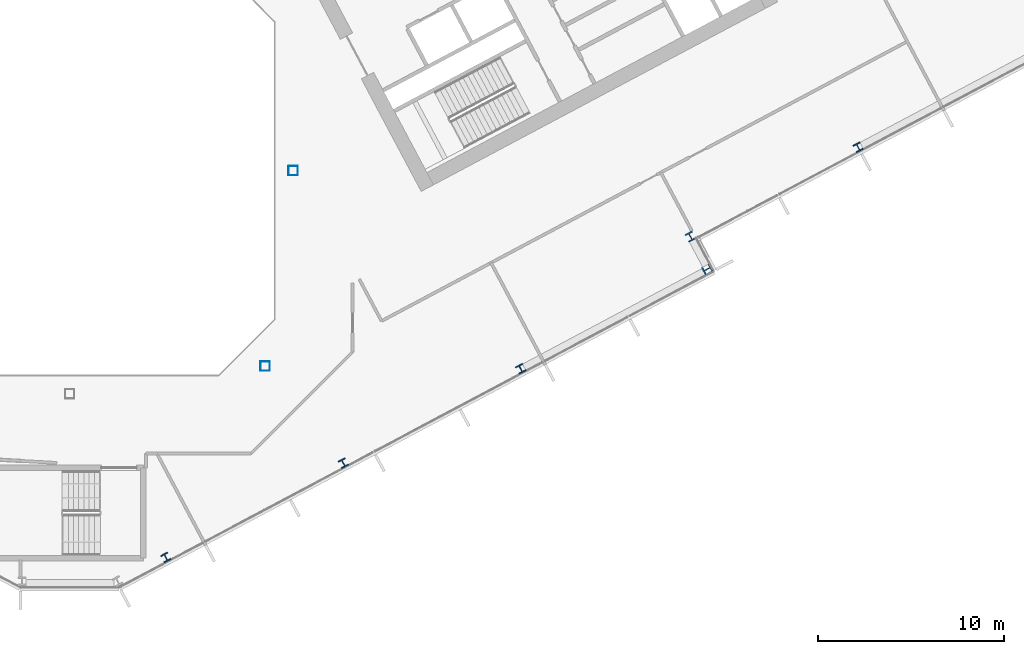
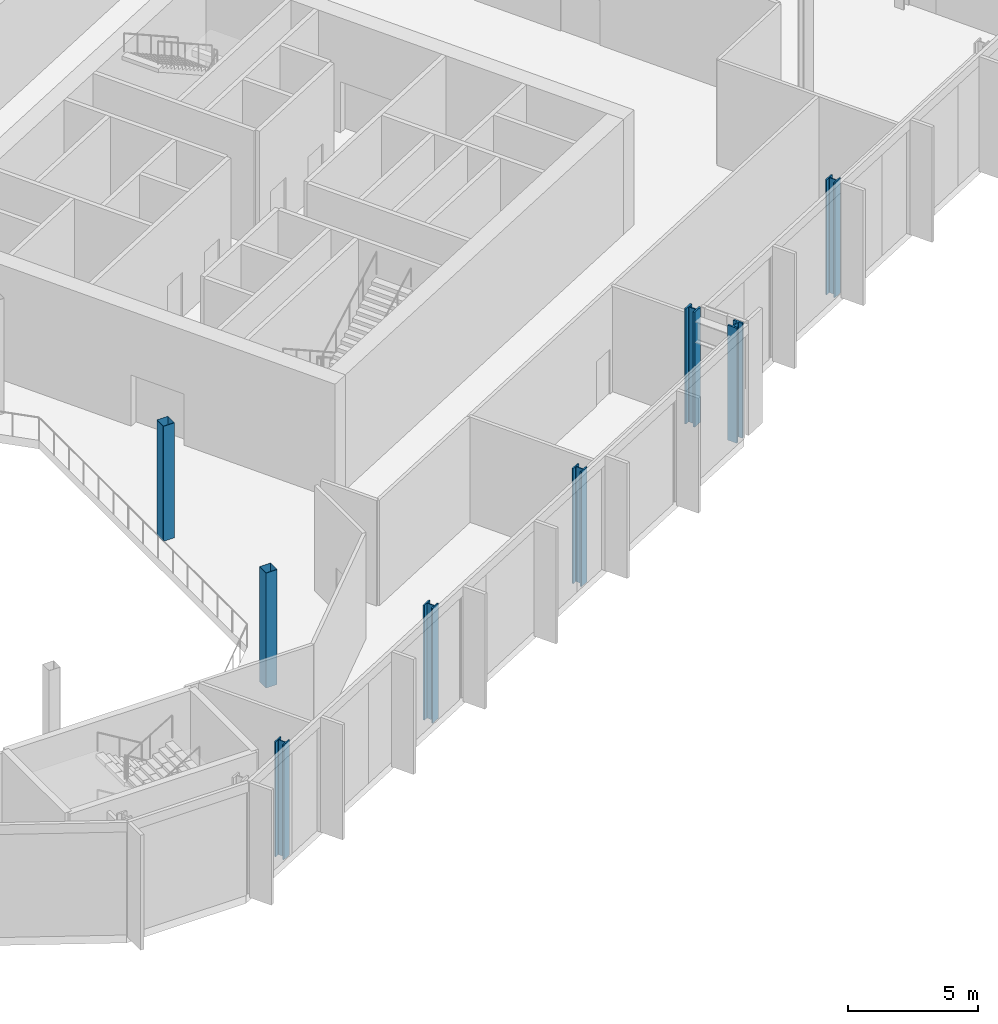
# One storey, part 5 of 31: 8 columns.
"""IFC4 building model written with IfcOpenShell, lengths in metres."""

from ifc_helpers import new_model, si_unit, direction, frame, origin, origin_2d, place, context, subcontext, project, spatial, hollow_rectangle, i_section, extrude, material, material_profile, profile_set, type_object, element, save


model = new_model("IFC4")

# Units and contexts
model_context = context("Model", 3, precision=1e-05, world=origin(), true_north=direction((0.0, 1.0)))
body_context = subcontext(model_context, "Body", "Model", "MODEL_VIEW")
ifc_project = project(units=[si_unit("LENGTHUNIT", "METRE"), si_unit("AREAUNIT", "SQUARE_METRE"), si_unit("VOLUMEUNIT", "CUBIC_METRE"), si_unit("PLANEANGLEUNIT", "RADIAN"), si_unit("MASSUNIT", "GRAM", prefix="KILO")], contexts=[model_context])

# Site, building, storey
site_placement = place(None, origin())
site = spatial("IfcSite", under=ifc_project, at=site_placement, CompositionType="ELEMENT")
building_placement = place(site_placement, origin())
building = spatial("IfcBuilding", under=site, at=building_placement, Name="Cormorant Relay Tower", CompositionType="ELEMENT")
storey_placement = place(building_placement, frame((0.0, 0.0, 178.199951171875)))
storey = spatial("IfcBuildingStorey", under=building, at=storey_placement, Name="L38", CompositionType="ELEMENT", Elevation=178.199951171875)

# Columns
ifc_material_1 = material(Name="Steel ASTM A500 Grade C (Fy 345 MPa)", Category="steel")
ifc_material_profile_1 = material_profile(ifc_material_1, hollow_rectangle(XDim=0.508056640625, YDim=0.508056640625, WallThickness=0.01171875, InnerFilletRadius=0.005859375, OuterFilletRadius=0.017822265625, at=origin_2d()), Name="HSS508x508x12")
ifc_profile_set_1 = profile_set([ifc_material_profile_1], Name="Steel ASTM A500 Grade C (Fy 345 MPa)")
column_type_1 = type_object("IfcColumnType", Name="Column HSS508x508x12", PredefinedType="COLUMN", material=ifc_profile_set_1)
for number, where, z_axis, x_axis, name in (
    (1, (10.5, -10.5, 0.0), (0.0, 0.0, 1.0), (1.0, 0.0, 0.0), "Column L38-010"),
    (2, (12.0, 0.0, 0.0), (0.0, 0.0, 1.0), (1.0, 0.0, 0.0), "Column L38-016"),
):
    element("IfcColumn", number, at=place(storey_placement, frame(where, z_axis=z_axis, x_axis=x_axis)), inside=storey, type_object=column_type_1, Name=name, PredefinedType="COLUMN", context=body_context, shape_type="SweptSolid", body=[
        extrude(hollow_rectangle(XDim=0.508056640625, YDim=0.508056640625, WallThickness=0.01171875, InnerFilletRadius=0.005859375, OuterFilletRadius=0.017822265625, at=origin_2d()), origin(), (0.0, 0.0, 1.0), 5.400146484375),
    ])
ifc_material_2 = material(Name="Steel ASTM A992 (Fy 345 MPa)", Category="steel")
ifc_material_profile_2 = material_profile(ifc_material_2, i_section(OverallWidth=0.41162109375, OverallDepth=0.434326171875, WebThickness=0.035888671875, FlangeThickness=0.057373046875, FilletRadius=0.01513671875, at=origin_2d()), Name="W360x463")
ifc_profile_set_2 = profile_set([ifc_material_profile_2], Name="Steel ASTM A992 (Fy 345 MPa)")
column_type_2 = type_object("IfcColumnType", Name="Column W360x463", PredefinedType="COLUMN", material=ifc_profile_set_2)
for number, where, z_axis, x_axis, name in (
    (3, (5.1640625, -20.7890625, 0.0), (0.0, 0.0, 1.0), (0.882947592859, 0.469471562786, 0.0), "Column L38-003"),
    (4, (14.699951171875, -15.718994140625, 0.0), (0.0, 0.0, 1.0), (0.882947592859, 0.469471562786, 0.0), "Column L38-005"),
    (5, (24.236083984375, -10.64794921875, 0.0), (0.0, 0.0, 1.0), (0.882947592859, 0.469471562786, 0.0), "Column L38-008"),
    (6, (42.368896484375, 1.258056640625, 0.0), (0.0, 0.0, 1.0), (0.882947592859, 0.469471562786, 0.0), "Column L38-017"),
):
    element("IfcColumn", number, at=place(storey_placement, frame(where, z_axis=z_axis, x_axis=x_axis)), inside=storey, type_object=column_type_2, Name=name, PredefinedType="COLUMN", context=body_context, shape_type="SweptSolid", body=[
        extrude(i_section(OverallWidth=0.41162109375, OverallDepth=0.434326171875, WebThickness=0.035888671875, FlangeThickness=0.057373046875, FilletRadius=0.01513671875, at=origin_2d()), origin(), (0.0, 0.0, 1.0), 5.400146484375),
    ])
ifc_material_3 = material(Name="Steel ASTM A992 (Fy 345 MPa)", Category="steel")
ifc_material_profile_3 = material_profile(ifc_material_3, i_section(OverallWidth=0.42431640625, OverallDepth=0.47509765625, WebThickness=0.0478515625, FlangeThickness=0.0771484375, FilletRadius=0.014892578125, at=origin_2d()), Name="W360x634")
ifc_profile_set_3 = profile_set([ifc_material_profile_3], Name="Steel ASTM A992 (Fy 345 MPa)")
column_type_3 = type_object("IfcColumnType", Name="Column W360x634", PredefinedType="COLUMN", material=ifc_profile_set_3)
for number, where, z_axis, x_axis, name in (
    (7, (34.256103515625, -5.297119140625, 0.0), (0.0, 0.0, 1.0), (-0.469471562786, 0.882947592859, 0.0), "Column L38-012"),
    (8, (33.35595703125, -3.54296875, 0.0), (0.0, 0.0, 1.0), (0.882947592859, 0.469471562786, 0.0), "Column L38-014"),
):
    element("IfcColumn", number, at=place(storey_placement, frame(where, z_axis=z_axis, x_axis=x_axis)), inside=storey, type_object=column_type_3, Name=name, PredefinedType="COLUMN", context=body_context, shape_type="SweptSolid", body=[
        extrude(i_section(OverallWidth=0.42431640625, OverallDepth=0.47509765625, WebThickness=0.0478515625, FlangeThickness=0.0771484375, FilletRadius=0.014892578125, at=origin_2d()), origin(), (0.0, 0.0, 1.0), 5.400146484375),
    ])

save(model, "model.ifc")
